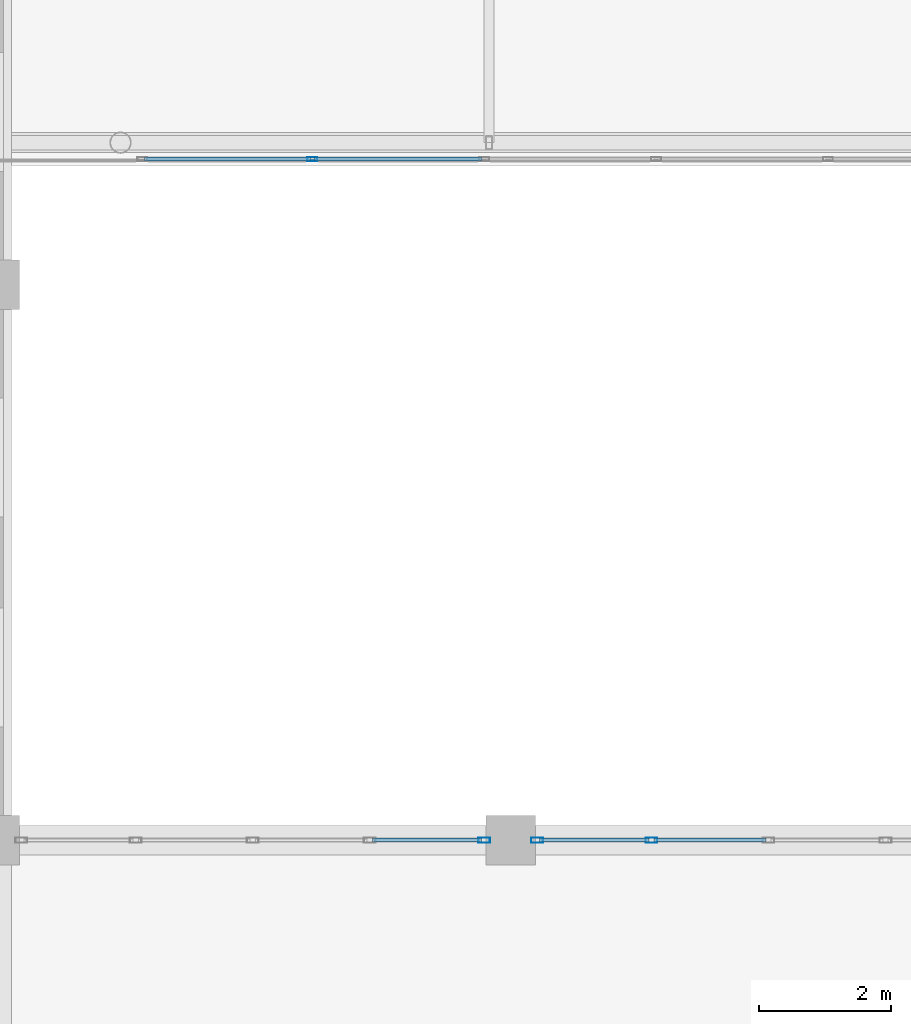
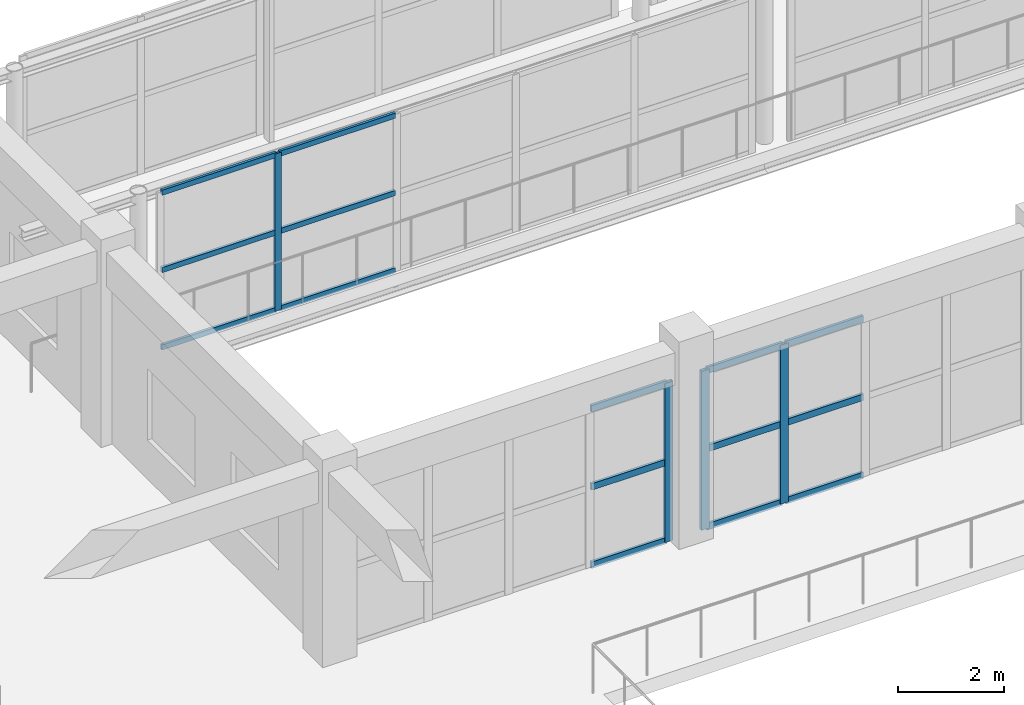
# One storey, part 42 of 175: 19 members, 3 elements without a shape of their own.
"""IFC4 building model written with IfcOpenShell, lengths in metres."""

from ifc_helpers import new_model, si_unit, direction, frame, origin, origin_2d, place, context, subcontext, project, spatial, hollow_rectangle, extrude, material, layer, layer_set, material_profile, profile_set, type_object, element, aggregate, save


model = new_model("IFC4")

# Units and contexts
model_context = context("Model", 3, precision=1e-05, world=origin(), true_north=direction((0.0, 1.0)))
body_context = subcontext(model_context, "Body", "Model", "MODEL_VIEW")
ifc_project = project(units=[si_unit("LENGTHUNIT", "METRE"), si_unit("AREAUNIT", "SQUARE_METRE"), si_unit("VOLUMEUNIT", "CUBIC_METRE"), si_unit("PLANEANGLEUNIT", "RADIAN"), si_unit("MASSUNIT", "GRAM", prefix="KILO")], contexts=[model_context])

# Site, building, storey
site_placement = place(None, origin())
site = spatial("IfcSite", under=ifc_project, at=site_placement, CompositionType="ELEMENT")
building_placement = place(site_placement, origin())
building = spatial("IfcBuilding", under=site, at=building_placement, Name="Zizhar Promenade General Hospital", CompositionType="ELEMENT")
storey_placement = place(building_placement, frame((0.0, 0.0, 4.800048828125)))
storey = spatial("IfcBuildingStorey", under=building, at=storey_placement, Name="L01", CompositionType="ELEMENT", Elevation=4.800048828125)

# Curtain wall, member
ifc_material_1 = material(Name="Anodised aluminium 6063-T6 and low-E glass", Category="aluminium")
ifc_layer_1 = layer(ifc_material_1, 0.159912109375)
ifc_layer_set_1 = layer_set([ifc_layer_1], Name="Anodised aluminium 6063-T6 and low-E glass")
curtain_wall_type_1 = type_object("IfcCurtainWallType", Name="CW-SKY-GLZ", PredefinedType="NOTDEFINED", material=ifc_layer_set_1)
curtain_wall_1_placement = place(storey_placement, origin())
curtain_wall_1 = element("IfcCurtainWall", 1, at=curtain_wall_1_placement, inside=storey, type_object=curtain_wall_type_1, Name="Courtyard Clinical Skybridge Level L01 South Glazing 1", PredefinedType="NOTDEFINED")
ifc_material_2 = material(Name="Anodised aluminium 6063-T6", Category="aluminium")
ifc_material_profile_1 = material_profile(ifc_material_2, hollow_rectangle(XDim=0.06005859375, YDim=0.14990234375, WallThickness=0.00390625, at=origin_2d()))
ifc_profile_set_1 = profile_set([ifc_material_profile_1], Name="Anodised aluminium 6063-T6")
member_type_1 = type_object("IfcMemberType", Name="CWM-ALU-150x60", PredefinedType="MULLION", material=ifc_profile_set_1)
member_1_placement = place(storey_placement, frame((75.0, 60.699951171875, 0.0), z_axis=(0.0, 0.0, 1.0), x_axis=(0.0, -1.0, 0.0)))
member_1 = element("IfcMember", 2, at=member_1_placement, type_object=member_type_1, Name="CW-15 mullion 5", PredefinedType="MULLION", context=body_context, shape_type="SweptSolid", body=[
    extrude(hollow_rectangle(XDim=0.06005859375, YDim=0.14990234375, WallThickness=0.00390625, at=origin_2d()), origin(), (0.0, 0.0, 1.0), 3.639892578125),
])

ifc_material_3 = material(Name="Anodised aluminium 6063-T6 and low-E glass", Category="aluminium")
ifc_layer_2 = layer(ifc_material_3, 0.159912109375)
ifc_layer_set_2 = layer_set([ifc_layer_2], Name="Anodised aluminium 6063-T6 and low-E glass")
curtain_wall_type_2 = type_object("IfcCurtainWallType", Name="CW-HALL-N", PredefinedType="NOTDEFINED", material=ifc_layer_set_2)
curtain_wall_2_placement = place(storey_placement, origin())
curtain_wall_2 = element("IfcCurtainWall", 3, at=curtain_wall_2_placement, inside=storey, type_object=curtain_wall_type_2, Name="Main Hall Courtyard Curtain Wall L01-9", PredefinedType="NOTDEFINED")
ifc_material_4 = material(Name="Anodised aluminium 6063-T6", Category="aluminium")
ifc_material_profile_2 = material_profile(ifc_material_4, hollow_rectangle(XDim=0.080078125, YDim=0.179931640625, WallThickness=0.0048828125, at=origin_2d()))
ifc_profile_set_2 = profile_set([ifc_material_profile_2], Name="Anodised aluminium 6063-T6")
member_type_2 = type_object("IfcMemberType", Name="CWM-ALU-180x80", PredefinedType="MULLION", material=ifc_profile_set_2)
member_2_placement = place(storey_placement, frame((77.60009765625, 50.39990234375, 0.0), z_axis=(0.0, 0.0, 1.0), x_axis=(0.0, 1.0, 0.0)))
member_2 = element("IfcMember", 4, at=member_2_placement, type_object=member_type_2, Name="CW-02 mullion 5", PredefinedType="MULLION", context=body_context, shape_type="SweptSolid", body=[
    extrude(hollow_rectangle(XDim=0.080078125, YDim=0.179931640625, WallThickness=0.0048828125, at=origin_2d()), origin(), (0.0, 0.0, 1.0), 3.679931640625),
])

# Curtain wall, members
curtain_wall_3_placement = place(storey_placement, origin())
curtain_wall_3 = element("IfcCurtainWall", 5, at=curtain_wall_3_placement, inside=storey, type_object=curtain_wall_type_2, Name="Main Hall Courtyard Curtain Wall L01-10", PredefinedType="NOTDEFINED")
member_3_placement = place(storey_placement, frame((78.39990234375, 50.39990234375, 0.0), z_axis=(0.0, 0.0, 1.0), x_axis=(0.0, 1.0, 0.0)))
member_3 = element("IfcMember", 6, at=member_3_placement, type_object=member_type_2, Name="CW-02 mullion 1", PredefinedType="MULLION", context=body_context, shape_type="SweptSolid", body=[
    extrude(hollow_rectangle(XDim=0.080078125, YDim=0.179931640625, WallThickness=0.0048828125, at=origin_2d()), origin(), (0.0, 0.0, 1.0), 3.679931640625),
])
member_4_placement = place(storey_placement, frame((80.1298828125, 50.39990234375, 0.0), z_axis=(0.0, 0.0, 1.0), x_axis=(0.0, 1.0, 0.0)))
member_4 = element("IfcMember", 7, at=member_4_placement, type_object=member_type_2, Name="CW-02 mullion 2", PredefinedType="MULLION", context=body_context, shape_type="SweptSolid", body=[
    extrude(hollow_rectangle(XDim=0.080078125, YDim=0.179931640625, WallThickness=0.0048828125, at=origin_2d()), origin(), (0.0, 0.0, 1.0), 3.679931640625),
])

# Member
ifc_material_5 = material(Name="Anodised aluminium 6063-T6", Category="aluminium")
ifc_material_profile_3 = material_profile(ifc_material_5, hollow_rectangle(XDim=0.06005859375, YDim=0.1201171875, WallThickness=0.00390625, at=origin_2d()))
ifc_profile_set_3 = profile_set([ifc_material_profile_3], Name="Anodised aluminium 6063-T6")
member_type_3 = type_object("IfcMemberType", Name="CWT-ALU-120x60", PredefinedType="USERDEFINED", material=ifc_profile_set_3)
member_5_placement = place(storey_placement, frame((77.570068359375, 60.699951171875, 0.030029296875), z_axis=(-1.0, 0.0, 0.0), x_axis=(0.0, -1.0, 0.0)))
member_5 = element("IfcMember", 8, at=member_5_placement, type_object=member_type_3, Name="CW-15 transom 4.1", ObjectType="TRANSOM", PredefinedType="USERDEFINED", context=body_context, shape_type="SweptSolid", body=[
    extrude(hollow_rectangle(XDim=0.06005859375, YDim=0.1201171875, WallThickness=0.00390625, at=origin_2d()), origin(), (0.0, 0.0, 1.0), 2.5400390625),
])

member_6_placement = place(storey_placement, frame((77.570068359375, 60.699951171875, 1.820068359375), z_axis=(-1.0, 0.0, 0.0), x_axis=(0.0, -1.0, 0.0)))
member_6 = element("IfcMember", 9, at=member_6_placement, type_object=member_type_3, Name="CW-15 transom 4.2", ObjectType="TRANSOM", PredefinedType="USERDEFINED", context=body_context, shape_type="SweptSolid", body=[
    extrude(hollow_rectangle(XDim=0.06005859375, YDim=0.1201171875, WallThickness=0.00390625, at=origin_2d()), origin(), (0.0, 0.0, 1.0), 2.5400390625),
])

member_7_placement = place(storey_placement, frame((77.570068359375, 60.699951171875, 3.60986328125), z_axis=(-1.0, 0.0, 0.0), x_axis=(0.0, -1.0, 0.0)))
member_7 = element("IfcMember", 10, at=member_7_placement, type_object=member_type_3, Name="CW-15 transom 4.3", ObjectType="TRANSOM", PredefinedType="USERDEFINED", context=body_context, shape_type="SweptSolid", body=[
    extrude(hollow_rectangle(XDim=0.06005859375, YDim=0.1201171875, WallThickness=0.00390625, at=origin_2d()), origin(), (0.0, 0.0, 1.0), 2.5400390625),
])

member_8_placement = place(storey_placement, frame((74.969970703125, 60.699951171875, 0.030029296875), z_axis=(-1.0, 0.0, 0.0), x_axis=(0.0, -1.0, 0.0)))
member_8 = element("IfcMember", 11, at=member_8_placement, type_object=member_type_3, Name="CW-15 transom 5.1", ObjectType="TRANSOM", PredefinedType="USERDEFINED", context=body_context, shape_type="SweptSolid", body=[
    extrude(hollow_rectangle(XDim=0.06005859375, YDim=0.1201171875, WallThickness=0.00390625, at=origin_2d()), origin(), (0.0, 0.0, 1.0), 2.510009765625),
])

member_9_placement = place(storey_placement, frame((74.969970703125, 60.699951171875, 1.820068359375), z_axis=(-1.0, 0.0, 0.0), x_axis=(0.0, -1.0, 0.0)))
member_9 = element("IfcMember", 12, at=member_9_placement, type_object=member_type_3, Name="CW-15 transom 5.2", ObjectType="TRANSOM", PredefinedType="USERDEFINED", context=body_context, shape_type="SweptSolid", body=[
    extrude(hollow_rectangle(XDim=0.06005859375, YDim=0.1201171875, WallThickness=0.00390625, at=origin_2d()), origin(), (0.0, 0.0, 1.0), 2.510009765625),
])

member_10_placement = place(storey_placement, frame((74.969970703125, 60.699951171875, 3.60986328125), z_axis=(-1.0, 0.0, 0.0), x_axis=(0.0, -1.0, 0.0)))
member_10 = element("IfcMember", 13, at=member_10_placement, type_object=member_type_3, Name="CW-15 transom 5.3", ObjectType="TRANSOM", PredefinedType="USERDEFINED", context=body_context, shape_type="SweptSolid", body=[
    extrude(hollow_rectangle(XDim=0.06005859375, YDim=0.1201171875, WallThickness=0.00390625, at=origin_2d()), origin(), (0.0, 0.0, 1.0), 2.510009765625),
])

aggregate(curtain_wall_1, [member_1, member_5, member_6, member_7, member_8, member_9, member_10])

ifc_material_6 = material(Name="Anodised aluminium 6063-T6", Category="aluminium")
ifc_material_profile_4 = material_profile(ifc_material_6, hollow_rectangle(XDim=0.06005859375, YDim=0.14990234375, WallThickness=0.00390625, at=origin_2d()))
ifc_profile_set_4 = profile_set([ifc_material_profile_4], Name="Anodised aluminium 6063-T6")
member_type_4 = type_object("IfcMemberType", Name="CWT-ALU-150x60", PredefinedType="USERDEFINED", material=ifc_profile_set_4)
member_11_placement = place(storey_placement, frame((75.909912109375, 50.39990234375, 0.030029296875), z_axis=(1.0, 0.0, 0.0), x_axis=(0.0, 1.0, 0.0)))
member_11 = element("IfcMember", 14, at=member_11_placement, type_object=member_type_4, Name="CW-02 transom 4.1", ObjectType="TRANSOM", PredefinedType="USERDEFINED", context=body_context, shape_type="SweptSolid", body=[
    extrude(hollow_rectangle(XDim=0.06005859375, YDim=0.14990234375, WallThickness=0.00390625, at=origin_2d()), origin(), (0.0, 0.0, 1.0), 1.650146484375),
])

member_12_placement = place(storey_placement, frame((75.909912109375, 50.39990234375, 1.83984375), z_axis=(1.0, 0.0, 0.0), x_axis=(0.0, 1.0, 0.0)))
member_12 = element("IfcMember", 15, at=member_12_placement, type_object=member_type_4, Name="CW-02 transom 4.2", ObjectType="TRANSOM", PredefinedType="USERDEFINED", context=body_context, shape_type="SweptSolid", body=[
    extrude(hollow_rectangle(XDim=0.06005859375, YDim=0.14990234375, WallThickness=0.00390625, at=origin_2d()), origin(), (0.0, 0.0, 1.0), 1.650146484375),
])

member_13_placement = place(storey_placement, frame((75.909912109375, 50.39990234375, 3.64990234375), z_axis=(1.0, 0.0, 0.0), x_axis=(0.0, 1.0, 0.0)))
member_13 = element("IfcMember", 16, at=member_13_placement, type_object=member_type_4, Name="CW-02 transom 4.3", ObjectType="TRANSOM", PredefinedType="USERDEFINED", context=body_context, shape_type="SweptSolid", body=[
    extrude(hollow_rectangle(XDim=0.06005859375, YDim=0.14990234375, WallThickness=0.00390625, at=origin_2d()), origin(), (0.0, 0.0, 1.0), 1.650146484375),
])

aggregate(curtain_wall_2, [member_2, member_11, member_12, member_13])

member_14_placement = place(storey_placement, frame((78.43994140625, 50.39990234375, 0.030029296875), z_axis=(1.0, 0.0, 0.0), x_axis=(0.0, 1.0, 0.0)))
member_14 = element("IfcMember", 17, at=member_14_placement, type_object=member_type_4, Name="CW-02 transom 1.1", ObjectType="TRANSOM", PredefinedType="USERDEFINED", context=body_context, shape_type="SweptSolid", body=[
    extrude(hollow_rectangle(XDim=0.06005859375, YDim=0.14990234375, WallThickness=0.00390625, at=origin_2d()), origin(), (0.0, 0.0, 1.0), 1.650146484375),
])

member_15_placement = place(storey_placement, frame((78.43994140625, 50.39990234375, 1.83984375), z_axis=(1.0, 0.0, 0.0), x_axis=(0.0, 1.0, 0.0)))
member_15 = element("IfcMember", 18, at=member_15_placement, type_object=member_type_4, Name="CW-02 transom 1.2", ObjectType="TRANSOM", PredefinedType="USERDEFINED", context=body_context, shape_type="SweptSolid", body=[
    extrude(hollow_rectangle(XDim=0.06005859375, YDim=0.14990234375, WallThickness=0.00390625, at=origin_2d()), origin(), (0.0, 0.0, 1.0), 1.650146484375),
])

member_16_placement = place(storey_placement, frame((78.43994140625, 50.39990234375, 3.64990234375), z_axis=(1.0, 0.0, 0.0), x_axis=(0.0, 1.0, 0.0)))
member_16 = element("IfcMember", 19, at=member_16_placement, type_object=member_type_4, Name="CW-02 transom 1.3", ObjectType="TRANSOM", PredefinedType="USERDEFINED", context=body_context, shape_type="SweptSolid", body=[
    extrude(hollow_rectangle(XDim=0.06005859375, YDim=0.14990234375, WallThickness=0.00390625, at=origin_2d()), origin(), (0.0, 0.0, 1.0), 1.650146484375),
])

member_17_placement = place(storey_placement, frame((80.169921875, 50.39990234375, 0.030029296875), z_axis=(1.0, 0.0, 0.0), x_axis=(0.0, 1.0, 0.0)))
member_17 = element("IfcMember", 20, at=member_17_placement, type_object=member_type_4, Name="CW-02 transom 2.1", ObjectType="TRANSOM", PredefinedType="USERDEFINED", context=body_context, shape_type="SweptSolid", body=[
    extrude(hollow_rectangle(XDim=0.06005859375, YDim=0.14990234375, WallThickness=0.00390625, at=origin_2d()), origin(), (0.0, 0.0, 1.0), 1.690185546875),
])

member_18_placement = place(storey_placement, frame((80.169921875, 50.39990234375, 1.83984375), z_axis=(1.0, 0.0, 0.0), x_axis=(0.0, 1.0, 0.0)))
member_18 = element("IfcMember", 21, at=member_18_placement, type_object=member_type_4, Name="CW-02 transom 2.2", ObjectType="TRANSOM", PredefinedType="USERDEFINED", context=body_context, shape_type="SweptSolid", body=[
    extrude(hollow_rectangle(XDim=0.06005859375, YDim=0.14990234375, WallThickness=0.00390625, at=origin_2d()), origin(), (0.0, 0.0, 1.0), 1.690185546875),
])

member_19_placement = place(storey_placement, frame((80.169921875, 50.39990234375, 3.64990234375), z_axis=(1.0, 0.0, 0.0), x_axis=(0.0, 1.0, 0.0)))
member_19 = element("IfcMember", 22, at=member_19_placement, type_object=member_type_4, Name="CW-02 transom 2.3", ObjectType="TRANSOM", PredefinedType="USERDEFINED", context=body_context, shape_type="SweptSolid", body=[
    extrude(hollow_rectangle(XDim=0.06005859375, YDim=0.14990234375, WallThickness=0.00390625, at=origin_2d()), origin(), (0.0, 0.0, 1.0), 1.690185546875),
])

aggregate(curtain_wall_3, [member_3, member_4, member_14, member_15, member_16, member_17, member_18, member_19])

save(model, "model.ifc")
